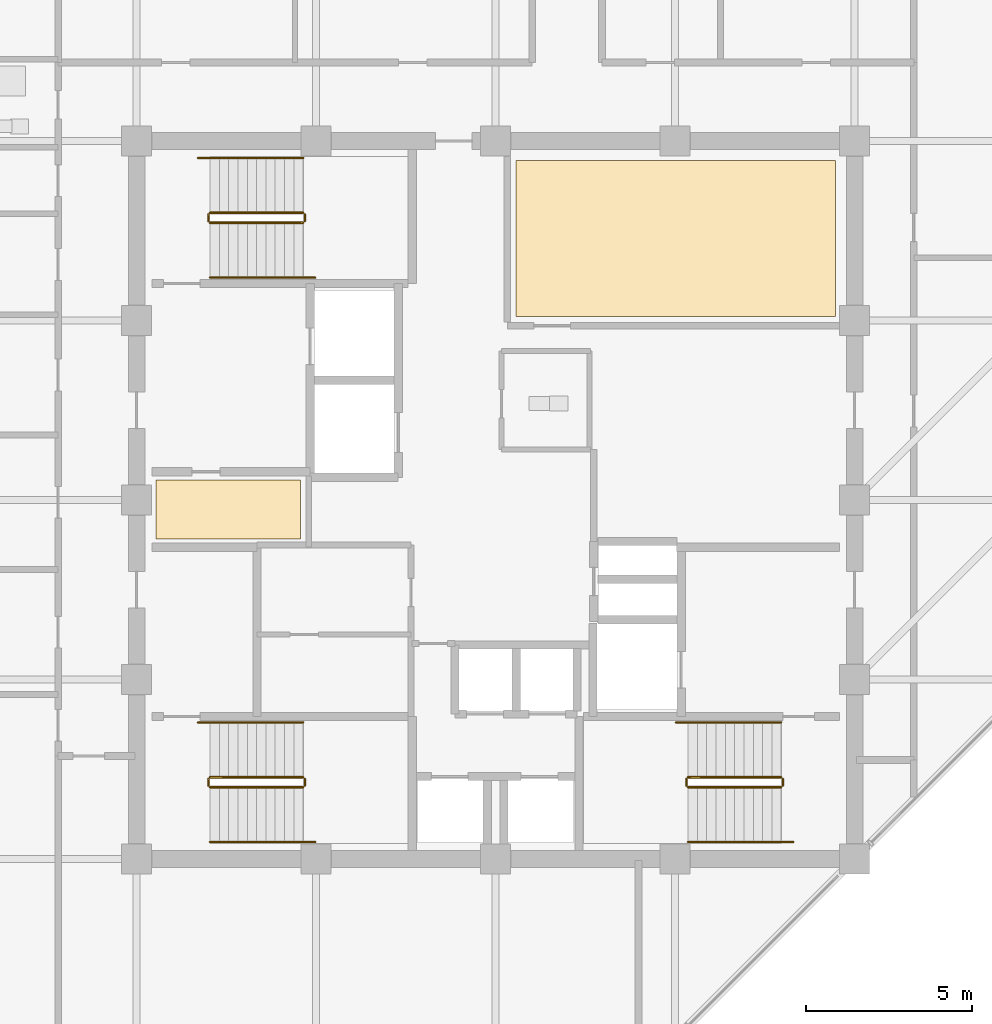
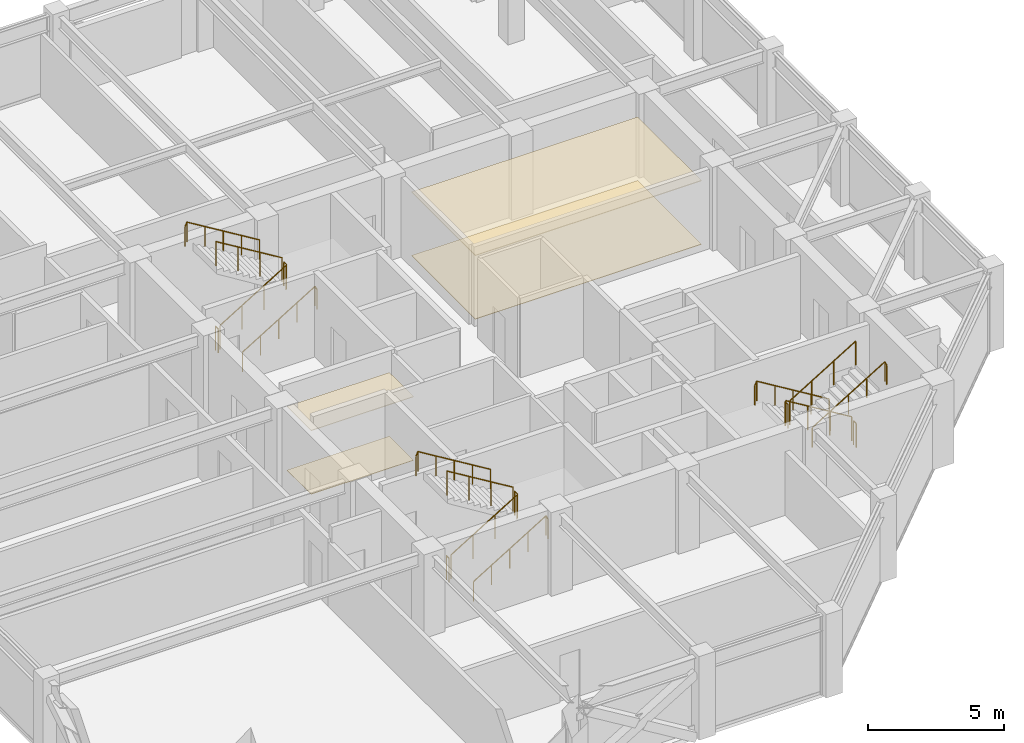
# One storey, part 29 of 30: 18 railings, 4 coverings.
"""IFC4 building model written with IfcOpenShell, lengths in metres."""

from ifc_helpers import new_model, si_unit, direction, frame, origin, origin_2d, place, context, subcontext, project, spatial, polyline, circle, outline, extrude, material, layer, layer_set, type_object, element, save


model = new_model("IFC4")

# Units and contexts
model_context = context("Model", 3, precision=1e-05, world=origin(), true_north=direction((0.0, 1.0)))
body_context = subcontext(model_context, "Body", "Model", "MODEL_VIEW")
ifc_project = project(units=[si_unit("LENGTHUNIT", "METRE"), si_unit("AREAUNIT", "SQUARE_METRE"), si_unit("VOLUMEUNIT", "CUBIC_METRE"), si_unit("PLANEANGLEUNIT", "RADIAN"), si_unit("MASSUNIT", "GRAM", prefix="KILO")], contexts=[model_context])

# Site, building, storey
site_placement = place(None, origin())
site = spatial("IfcSite", under=ifc_project, at=site_placement, CompositionType="ELEMENT")
building_placement = place(site_placement, origin())
building = spatial("IfcBuilding", under=site, at=building_placement, Name="Surkhivell Harbour Commons", CompositionType="ELEMENT")
storey_placement = place(building_placement, frame((0.0, 0.0, 292.5)))
storey = spatial("IfcBuildingStorey", under=building, at=storey_placement, Name="L76", CompositionType="ELEMENT", Elevation=292.5)

# Coverings
ifc_material_1 = material(Name="Perforated acoustic mineral-fibre ceiling tile", Category="other")
ifc_layer_1 = layer(ifc_material_1, 0.02490234375)
ifc_layer_set_1 = layer_set([ifc_layer_1], Name="Perforated acoustic mineral-fibre ceiling tile")
covering_type_1 = type_object("IfcCoveringType", Name="COV-CEIL-AC", PredefinedType="CEILING", material=ifc_layer_set_1)
covering_1_placement = place(storey_placement, frame((0.0, 0.0, 2.85205078125)))
element("IfcCovering", 1, at=covering_1_placement, inside=storey, type_object=covering_type_1, Name="L76 Suspended Acoustic Ceiling 1", PredefinedType="CEILING", context=body_context, shape_type="SweptSolid", body=[
    extrude(outline(polyline([(-10.219970703125, -1.179931640625), (-5.8701171875, -1.179931640625), (-5.8701171875, 0.60009765625), (-10.219970703125, 0.60009765625), (-10.219970703125, -1.179931640625)])), origin(), (0.0, 0.0, 1.0), 0.02490234375),
])
ifc_material_2 = material(Name="Moisture-resistant gypsum acoustic ceiling board", Category="other")
ifc_layer_2 = layer(ifc_material_2, 0.030029296875)
ifc_layer_set_2 = layer_set([ifc_layer_2], Name="Moisture-resistant gypsum acoustic ceiling board")
covering_type_2 = type_object("IfcCoveringType", Name="COV-CEIL-GYP", PredefinedType="CEILING", material=ifc_layer_set_2)
covering_2_placement = place(storey_placement, frame((0.0, 0.0, 2.846923828125)))
element("IfcCovering", 2, at=covering_2_placement, inside=storey, type_object=covering_type_2, Name="L76 Suspended Acoustic Ceiling 2", PredefinedType="CEILING", context=body_context, shape_type="SweptSolid", body=[
    extrude(outline(polyline([(0.6201171875, 5.52001953125), (10.219970703125, 5.52001953125), (10.219970703125, 10.219970703125), (0.6201171875, 10.219970703125), (0.6201171875, 5.52001953125)])), origin(), (0.0, 0.0, 1.0), 0.030029296875),
])
ifc_material_3 = material(Name="Engineered acoustic oak timber flooring", Category="wood")
ifc_layer_3 = layer(ifc_material_3, 0.02001953125)
ifc_layer_set_3 = layer_set([ifc_layer_3], Name="Engineered acoustic oak timber flooring")
covering_type_3 = type_object("IfcCoveringType", Name="COV-FLR-TIM", PredefinedType="FLOORING", material=ifc_layer_set_3)
covering_3_placement = place(storey_placement, origin())
element("IfcCovering", 3, at=covering_3_placement, inside=storey, type_object=covering_type_3, Name="L76 Interior Floor Finish 1", PredefinedType="FLOORING", context=body_context, shape_type="SweptSolid", body=[
    extrude(outline(polyline([(-10.219970703125, -1.179931640625), (-5.8701171875, -1.179931640625), (-5.8701171875, 0.60009765625), (-10.219970703125, 0.60009765625), (-10.219970703125, -1.179931640625)])), origin(), (0.0, 0.0, 1.0), 0.02001953125),
])
covering_4_placement = place(storey_placement, origin())
element("IfcCovering", 4, at=covering_4_placement, inside=storey, type_object=covering_type_3, Name="L76 Interior Floor Finish 2", PredefinedType="FLOORING", context=body_context, shape_type="SweptSolid", body=[
    extrude(outline(polyline([(0.6201171875, 5.52001953125), (10.219970703125, 5.52001953125), (10.219970703125, 10.219970703125), (0.6201171875, 10.219970703125), (0.6201171875, 5.52001953125)])), origin(), (0.0, 0.0, 1.0), 0.02001953125),
])

# Railings
ifc_material_4 = material(Name="Galvanised and painted steel S355 guard rail", Category="steel")
railing_type_1 = type_object("IfcRailingType", Name="RAL-ST-GRD1100", PredefinedType="GUARDRAIL", material=ifc_material_4)
railing_1_placement = place(storey_placement, frame((-8.590087890625, 8.340087890625, 0.17041015625)))
element("IfcRailing", 5, at=railing_1_placement, inside=storey, type_object=railing_type_1, Name="L76 ST1 stair guard 1", PredefinedType="GUARDRAIL", context=body_context, shape_type="SweptSolid", body=[
    extrude(circle(Radius=0.02392578125, at=origin_2d()), frame((0.0, 0.0, 1.076171875), z_axis=(0.854169791009, 0.0, 0.51999420009), x_axis=(0.0, 1.0, 0.0)), (0.0, 0.0, 1.0), 3.278076171875),
    extrude(circle(Radius=0.02099609375, at=origin_2d()), origin(), (0.0, 0.0, 1.0), 1.052001953125),
    extrude(circle(Radius=0.02099609375, at=origin_2d()), frame((0.933349609375, 0.0, 0.568115234375)), (0.0, 0.0, 1.0), 1.052001953125),
    extrude(circle(Radius=0.02099609375, at=origin_2d()), frame((1.86669921875, 0.0, 1.136474609375)), (0.0, 0.0, 1.0), 1.052001953125),
    extrude(circle(Radius=0.02099609375, at=origin_2d()), frame((2.800048828125, 0.0, 1.70458984375)), (0.0, 0.0, 1.0), 1.052001953125),
])
railing_2_placement = place(storey_placement, frame((-5.739990234375, 8.389892578125, 1.875)))
element("IfcRailing", 6, at=railing_2_placement, inside=storey, type_object=railing_type_1, Name="L76 ST1 stair guard 2", PredefinedType="GUARDRAIL", context=body_context, shape_type="SweptSolid", body=[
    extrude(circle(Radius=0.02392578125, at=origin_2d()), frame((0.0, 0.0, 1.076171875), z_axis=(0.0, 1.0, 0.0), x_axis=(-1.0, 0.0, 0.0)), (0.0, 0.0, 1.0), 0.2001953125),
    extrude(circle(Radius=0.02099609375, at=origin_2d()), origin(), (0.0, 0.0, 1.0), 1.052001953125),
    extrude(circle(Radius=0.02099609375, at=origin_2d()), frame((0.0, 0.2001953125, 0.0)), (0.0, 0.0, 1.0), 1.052001953125),
])
railing_3_placement = place(storey_placement, frame((-5.7900390625, 8.639892578125, 2.04541015625)))
element("IfcRailing", 7, at=railing_3_placement, inside=storey, type_object=railing_type_1, Name="L76 ST1 stair guard 3", PredefinedType="GUARDRAIL", context=body_context, shape_type="SweptSolid", body=[
    extrude(circle(Radius=0.02392578125, at=origin_2d()), frame((0.0, 0.0, 1.076171875), z_axis=(-0.854169791009, 0.0, 0.51999420009), x_axis=(0.0, -1.0, 0.0)), (0.0, 0.0, 1.0), 3.278076171875),
    extrude(circle(Radius=0.02099609375, at=origin_2d()), origin(), (0.0, 0.0, 1.0), 1.052001953125),
    extrude(circle(Radius=0.02099609375, at=origin_2d()), frame((-0.933349609375, 0.0, 0.568115234375)), (0.0, 0.0, 1.0), 1.052001953125),
    extrude(circle(Radius=0.02099609375, at=origin_2d()), frame((-1.86669921875, 0.0, 1.136474609375)), (0.0, 0.0, 1.0), 1.052001953125),
    extrude(circle(Radius=0.02099609375, at=origin_2d()), frame((-2.800048828125, 0.0, 1.70458984375)), (0.0, 0.0, 1.0), 1.052001953125),
])
railing_4_placement = place(storey_placement, frame((-8.639892578125, 8.389892578125, 0.0)))
element("IfcRailing", 8, at=railing_4_placement, inside=storey, type_object=railing_type_1, Name="L76 ST1 stair guard 4", PredefinedType="GUARDRAIL", context=body_context, shape_type="SweptSolid", body=[
    extrude(circle(Radius=0.02392578125, at=origin_2d()), frame((0.0, 0.0, 1.076171875), z_axis=(0.0, 1.0, 0.0), x_axis=(-1.0, 0.0, 0.0)), (0.0, 0.0, 1.0), 0.2001953125),
    extrude(circle(Radius=0.02099609375, at=origin_2d()), origin(), (0.0, 0.0, 1.0), 1.052001953125),
    extrude(circle(Radius=0.02099609375, at=origin_2d()), frame((0.0, 0.2001953125, 0.0)), (0.0, 0.0, 1.0), 1.052001953125),
])
railing_5_placement = place(storey_placement, frame((8.590087890625, -8.340087890625, 0.17041015625)))
element("IfcRailing", 9, at=railing_5_placement, inside=storey, type_object=railing_type_1, Name="L76 ST2 stair guard 1", PredefinedType="GUARDRAIL", context=body_context, shape_type="SweptSolid", body=[
    extrude(circle(Radius=0.02392578125, at=origin_2d()), frame((0.0, 0.0, 1.076171875), z_axis=(-0.854169791009, 0.0, 0.51999420009), x_axis=(0.0, -1.0, 0.0)), (0.0, 0.0, 1.0), 3.278076171875),
    extrude(circle(Radius=0.02099609375, at=origin_2d()), origin(), (0.0, 0.0, 1.0), 1.052001953125),
    extrude(circle(Radius=0.02099609375, at=origin_2d()), frame((-0.933349609375, 0.0, 0.568115234375)), (0.0, 0.0, 1.0), 1.052001953125),
    extrude(circle(Radius=0.02099609375, at=origin_2d()), frame((-1.86669921875, 0.0, 1.136474609375)), (0.0, 0.0, 1.0), 1.052001953125),
    extrude(circle(Radius=0.02099609375, at=origin_2d()), frame((-2.800048828125, 0.0, 1.70458984375)), (0.0, 0.0, 1.0), 1.052001953125),
])
railing_6_placement = place(storey_placement, frame((5.739990234375, -8.389892578125, 1.875)))
element("IfcRailing", 10, at=railing_6_placement, inside=storey, type_object=railing_type_1, Name="L76 ST2 stair guard 2", PredefinedType="GUARDRAIL", context=body_context, shape_type="SweptSolid", body=[
    extrude(circle(Radius=0.02392578125, at=origin_2d()), frame((0.0, 0.0, 1.076171875), z_axis=(0.0, -1.0, 0.0), x_axis=(1.0, 0.0, 0.0)), (0.0, 0.0, 1.0), 0.2001953125),
    extrude(circle(Radius=0.02099609375, at=origin_2d()), origin(), (0.0, 0.0, 1.0), 1.052001953125),
    extrude(circle(Radius=0.02099609375, at=origin_2d()), frame((0.0, -0.2001953125, 0.0)), (0.0, 0.0, 1.0), 1.052001953125),
])
railing_7_placement = place(storey_placement, frame((5.7900390625, -8.639892578125, 2.04541015625)))
element("IfcRailing", 11, at=railing_7_placement, inside=storey, type_object=railing_type_1, Name="L76 ST2 stair guard 3", PredefinedType="GUARDRAIL", context=body_context, shape_type="SweptSolid", body=[
    extrude(circle(Radius=0.02392578125, at=origin_2d()), frame((0.0, 0.0, 1.076171875), z_axis=(0.854169791009, 0.0, 0.51999420009), x_axis=(0.0, 1.0, 0.0)), (0.0, 0.0, 1.0), 3.278076171875),
    extrude(circle(Radius=0.02099609375, at=origin_2d()), origin(), (0.0, 0.0, 1.0), 1.052001953125),
    extrude(circle(Radius=0.02099609375, at=origin_2d()), frame((0.933349609375, 0.0, 0.568115234375)), (0.0, 0.0, 1.0), 1.052001953125),
    extrude(circle(Radius=0.02099609375, at=origin_2d()), frame((1.86669921875, 0.0, 1.136474609375)), (0.0, 0.0, 1.0), 1.052001953125),
    extrude(circle(Radius=0.02099609375, at=origin_2d()), frame((2.800048828125, 0.0, 1.70458984375)), (0.0, 0.0, 1.0), 1.052001953125),
])
railing_8_placement = place(storey_placement, frame((8.639892578125, -8.389892578125, 0.0)))
element("IfcRailing", 12, at=railing_8_placement, inside=storey, type_object=railing_type_1, Name="L76 ST2 stair guard 4", PredefinedType="GUARDRAIL", context=body_context, shape_type="SweptSolid", body=[
    extrude(circle(Radius=0.02392578125, at=origin_2d()), frame((0.0, 0.0, 1.076171875), z_axis=(0.0, -1.0, 0.0), x_axis=(1.0, 0.0, 0.0)), (0.0, 0.0, 1.0), 0.2001953125),
    extrude(circle(Radius=0.02099609375, at=origin_2d()), origin(), (0.0, 0.0, 1.0), 1.052001953125),
    extrude(circle(Radius=0.02099609375, at=origin_2d()), frame((0.0, -0.2001953125, 0.0)), (0.0, 0.0, 1.0), 1.052001953125),
])
railing_9_placement = place(storey_placement, frame((-8.590087890625, -8.639892578125, 0.17041015625)))
element("IfcRailing", 13, at=railing_9_placement, inside=storey, type_object=railing_type_1, Name="L76 ST3 stair guard 1", PredefinedType="GUARDRAIL", context=body_context, shape_type="SweptSolid", body=[
    extrude(circle(Radius=0.02392578125, at=origin_2d()), frame((0.0, 0.0, 1.076171875), z_axis=(0.854169791009, 0.0, 0.51999420009), x_axis=(0.0, 1.0, 0.0)), (0.0, 0.0, 1.0), 3.278076171875),
    extrude(circle(Radius=0.02099609375, at=origin_2d()), origin(), (0.0, 0.0, 1.0), 1.052001953125),
    extrude(circle(Radius=0.02099609375, at=origin_2d()), frame((0.933349609375, 0.0, 0.568115234375)), (0.0, 0.0, 1.0), 1.052001953125),
    extrude(circle(Radius=0.02099609375, at=origin_2d()), frame((1.86669921875, 0.0, 1.136474609375)), (0.0, 0.0, 1.0), 1.052001953125),
    extrude(circle(Radius=0.02099609375, at=origin_2d()), frame((2.800048828125, 0.0, 1.70458984375)), (0.0, 0.0, 1.0), 1.052001953125),
])
railing_10_placement = place(storey_placement, frame((-5.739990234375, -8.590087890625, 1.875)))
element("IfcRailing", 14, at=railing_10_placement, inside=storey, type_object=railing_type_1, Name="L76 ST3 stair guard 2", PredefinedType="GUARDRAIL", context=body_context, shape_type="SweptSolid", body=[
    extrude(circle(Radius=0.02392578125, at=origin_2d()), frame((0.0, 0.0, 1.076171875), z_axis=(0.0, 1.0, 0.0), x_axis=(-1.0, 0.0, 0.0)), (0.0, 0.0, 1.0), 0.2001953125),
    extrude(circle(Radius=0.02099609375, at=origin_2d()), origin(), (0.0, 0.0, 1.0), 1.052001953125),
    extrude(circle(Radius=0.02099609375, at=origin_2d()), frame((0.0, 0.2001953125, 0.0)), (0.0, 0.0, 1.0), 1.052001953125),
])
railing_11_placement = place(storey_placement, frame((-5.7900390625, -8.340087890625, 2.04541015625)))
element("IfcRailing", 15, at=railing_11_placement, inside=storey, type_object=railing_type_1, Name="L76 ST3 stair guard 3", PredefinedType="GUARDRAIL", context=body_context, shape_type="SweptSolid", body=[
    extrude(circle(Radius=0.02392578125, at=origin_2d()), frame((0.0, 0.0, 1.076171875), z_axis=(-0.854169791009, 0.0, 0.51999420009), x_axis=(0.0, -1.0, 0.0)), (0.0, 0.0, 1.0), 3.278076171875),
    extrude(circle(Radius=0.02099609375, at=origin_2d()), origin(), (0.0, 0.0, 1.0), 1.052001953125),
    extrude(circle(Radius=0.02099609375, at=origin_2d()), frame((-0.933349609375, 0.0, 0.568115234375)), (0.0, 0.0, 1.0), 1.052001953125),
    extrude(circle(Radius=0.02099609375, at=origin_2d()), frame((-1.86669921875, 0.0, 1.136474609375)), (0.0, 0.0, 1.0), 1.052001953125),
    extrude(circle(Radius=0.02099609375, at=origin_2d()), frame((-2.800048828125, 0.0, 1.70458984375)), (0.0, 0.0, 1.0), 1.052001953125),
])
railing_12_placement = place(storey_placement, frame((-8.639892578125, -8.590087890625, 0.0)))
element("IfcRailing", 16, at=railing_12_placement, inside=storey, type_object=railing_type_1, Name="L76 ST3 stair guard 4", PredefinedType="GUARDRAIL", context=body_context, shape_type="SweptSolid", body=[
    extrude(circle(Radius=0.02392578125, at=origin_2d()), frame((0.0, 0.0, 1.076171875), z_axis=(0.0, 1.0, 0.0), x_axis=(-1.0, 0.0, 0.0)), (0.0, 0.0, 1.0), 0.2001953125),
    extrude(circle(Radius=0.02099609375, at=origin_2d()), origin(), (0.0, 0.0, 1.0), 1.052001953125),
    extrude(circle(Radius=0.02099609375, at=origin_2d()), frame((0.0, 0.2001953125, 0.0)), (0.0, 0.0, 1.0), 1.052001953125),
])
ifc_material_5 = material(Name="Brushed stainless steel S355 handrail", Category="steel")
railing_type_2 = type_object("IfcRailingType", Name="RAL-ST-HND900", PredefinedType="HANDRAIL", material=ifc_material_5)
railing_13_placement = place(storey_placement, frame((-8.590087890625, 6.68994140625, 0.17041015625)))
element("IfcRailing", 17, at=railing_13_placement, inside=storey, type_object=railing_type_2, Name="L76 ST1 stair handrail 1", PredefinedType="HANDRAIL", context=body_context, shape_type="SweptSolid", body=[
    extrude(circle(Radius=0.02392578125, at=origin_2d()), frame((0.0, 0.0, 0.8759765625), z_axis=(0.854177636135, 0.0, 0.519981313056), x_axis=(0.0, 1.0, 0.0)), (0.0, 0.0, 1.0), 3.60595703125),
    extrude(circle(Radius=0.02392578125, at=origin_2d()), frame((3.080078125, 0.0, 2.7509765625), z_axis=(0.425297416671, 0.0, -0.905053648892), x_axis=(0.0, 1.0, 0.0)), (0.0, 0.0, 1.0), 0.188232421875),
    extrude(circle(Radius=0.02099609375, at=origin_2d()), origin(), (0.0, 0.0, 1.0), 0.851806640625),
    extrude(circle(Radius=0.02099609375, at=origin_2d()), frame((0.77001953125, 0.0, 0.46875)), (0.0, 0.0, 1.0), 0.851806640625),
    extrude(circle(Radius=0.02099609375, at=origin_2d()), frame((1.5400390625, 0.0, 0.9375)), (0.0, 0.0, 1.0), 0.851806640625),
    extrude(circle(Radius=0.02099609375, at=origin_2d()), frame((2.31005859375, 0.0, 1.40625)), (0.0, 0.0, 1.0), 0.851806640625),
    extrude(circle(Radius=0.02099609375, at=origin_2d()), frame((3.080078125, 0.0, 1.875)), (0.0, 0.0, 1.0), 0.851806640625),
    extrude(circle(Radius=0.02099609375, at=origin_2d()), frame((3.16015625, 0.0, 1.70458984375)), (0.0, 0.0, 1.0), 0.851806640625),
])
railing_14_placement = place(storey_placement, frame((-5.7900390625, 10.2900390625, 2.04541015625)))
element("IfcRailing", 18, at=railing_14_placement, inside=storey, type_object=railing_type_2, Name="L76 ST1 stair handrail 2", PredefinedType="HANDRAIL", context=body_context, shape_type="SweptSolid", body=[
    extrude(circle(Radius=0.02392578125, at=origin_2d()), frame((0.0, 0.0, 0.8759765625), z_axis=(-0.854177636135, 0.0, 0.519981313056), x_axis=(0.0, -1.0, 0.0)), (0.0, 0.0, 1.0), 3.60595703125),
    extrude(circle(Radius=0.02392578125, at=origin_2d()), frame((-3.080078125, 0.0, 2.7509765625), z_axis=(-0.424234432967, 0.0, -0.905552398199), x_axis=(0.0, -1.0, 0.0)), (0.0, 0.0, 1.0), 0.188232421875),
    extrude(circle(Radius=0.02099609375, at=origin_2d()), origin(), (0.0, 0.0, 1.0), 0.851806640625),
    extrude(circle(Radius=0.02099609375, at=origin_2d()), frame((-0.77001953125, 0.0, 0.46875)), (0.0, 0.0, 1.0), 0.851806640625),
    extrude(circle(Radius=0.02099609375, at=origin_2d()), frame((-1.5400390625, 0.0, 0.9375)), (0.0, 0.0, 1.0), 0.851806640625),
    extrude(circle(Radius=0.02099609375, at=origin_2d()), frame((-2.31005859375, 0.0, 1.40625)), (0.0, 0.0, 1.0), 0.851806640625),
    extrude(circle(Radius=0.02099609375, at=origin_2d()), frame((-3.080078125, 0.0, 1.875)), (0.0, 0.0, 1.0), 0.851806640625),
    extrude(circle(Radius=0.02099609375, at=origin_2d()), frame((-3.159912109375, 0.0, 1.70458984375)), (0.0, 0.0, 1.0), 0.851806640625),
])
railing_15_placement = place(storey_placement, frame((8.590087890625, -6.68994140625, 0.17041015625)))
element("IfcRailing", 19, at=railing_15_placement, inside=storey, type_object=railing_type_2, Name="L76 ST2 stair handrail 1", PredefinedType="HANDRAIL", context=body_context, shape_type="SweptSolid", body=[
    extrude(circle(Radius=0.02392578125, at=origin_2d()), frame((0.0, 0.0, 0.8759765625), z_axis=(-0.854177636135, 0.0, 0.519981313056), x_axis=(0.0, -1.0, 0.0)), (0.0, 0.0, 1.0), 3.60595703125),
    extrude(circle(Radius=0.02392578125, at=origin_2d()), frame((-3.080078125, 0.0, 2.7509765625), z_axis=(-0.425297416671, 0.0, -0.905053648892), x_axis=(0.0, -1.0, 0.0)), (0.0, 0.0, 1.0), 0.188232421875),
    extrude(circle(Radius=0.02099609375, at=origin_2d()), origin(), (0.0, 0.0, 1.0), 0.851806640625),
    extrude(circle(Radius=0.02099609375, at=origin_2d()), frame((-0.77001953125, 0.0, 0.46875)), (0.0, 0.0, 1.0), 0.851806640625),
    extrude(circle(Radius=0.02099609375, at=origin_2d()), frame((-1.5400390625, 0.0, 0.9375)), (0.0, 0.0, 1.0), 0.851806640625),
    extrude(circle(Radius=0.02099609375, at=origin_2d()), frame((-2.31005859375, 0.0, 1.40625)), (0.0, 0.0, 1.0), 0.851806640625),
    extrude(circle(Radius=0.02099609375, at=origin_2d()), frame((-3.080078125, 0.0, 1.875)), (0.0, 0.0, 1.0), 0.851806640625),
    extrude(circle(Radius=0.02099609375, at=origin_2d()), frame((-3.16015625, 0.0, 1.70458984375)), (0.0, 0.0, 1.0), 0.851806640625),
])
railing_16_placement = place(storey_placement, frame((5.7900390625, -10.2900390625, 2.04541015625)))
element("IfcRailing", 20, at=railing_16_placement, inside=storey, type_object=railing_type_2, Name="L76 ST2 stair handrail 2", PredefinedType="HANDRAIL", context=body_context, shape_type="SweptSolid", body=[
    extrude(circle(Radius=0.02392578125, at=origin_2d()), frame((0.0, 0.0, 0.8759765625), z_axis=(0.854177636135, 0.0, 0.519981313056), x_axis=(0.0, 1.0, 0.0)), (0.0, 0.0, 1.0), 3.60595703125),
    extrude(circle(Radius=0.02392578125, at=origin_2d()), frame((3.080078125, 0.0, 2.7509765625), z_axis=(0.424234432967, 0.0, -0.905552398199), x_axis=(0.0, 1.0, 0.0)), (0.0, 0.0, 1.0), 0.188232421875),
    extrude(circle(Radius=0.02099609375, at=origin_2d()), origin(), (0.0, 0.0, 1.0), 0.851806640625),
    extrude(circle(Radius=0.02099609375, at=origin_2d()), frame((0.77001953125, 0.0, 0.46875)), (0.0, 0.0, 1.0), 0.851806640625),
    extrude(circle(Radius=0.02099609375, at=origin_2d()), frame((1.5400390625, 0.0, 0.9375)), (0.0, 0.0, 1.0), 0.851806640625),
    extrude(circle(Radius=0.02099609375, at=origin_2d()), frame((2.31005859375, 0.0, 1.40625)), (0.0, 0.0, 1.0), 0.851806640625),
    extrude(circle(Radius=0.02099609375, at=origin_2d()), frame((3.080078125, 0.0, 1.875)), (0.0, 0.0, 1.0), 0.851806640625),
    extrude(circle(Radius=0.02099609375, at=origin_2d()), frame((3.159912109375, 0.0, 1.70458984375)), (0.0, 0.0, 1.0), 0.851806640625),
])
railing_17_placement = place(storey_placement, frame((-8.590087890625, -10.2900390625, 0.17041015625)))
element("IfcRailing", 21, at=railing_17_placement, inside=storey, type_object=railing_type_2, Name="L76 ST3 stair handrail 1", PredefinedType="HANDRAIL", context=body_context, shape_type="SweptSolid", body=[
    extrude(circle(Radius=0.02392578125, at=origin_2d()), frame((0.0, 0.0, 0.8759765625), z_axis=(0.854177636135, 0.0, 0.519981313056), x_axis=(0.0, 1.0, 0.0)), (0.0, 0.0, 1.0), 3.60595703125),
    extrude(circle(Radius=0.02392578125, at=origin_2d()), frame((3.080078125, 0.0, 2.7509765625), z_axis=(0.425297416671, 0.0, -0.905053648892), x_axis=(0.0, 1.0, 0.0)), (0.0, 0.0, 1.0), 0.188232421875),
    extrude(circle(Radius=0.02099609375, at=origin_2d()), origin(), (0.0, 0.0, 1.0), 0.851806640625),
    extrude(circle(Radius=0.02099609375, at=origin_2d()), frame((0.77001953125, 0.0, 0.46875)), (0.0, 0.0, 1.0), 0.851806640625),
    extrude(circle(Radius=0.02099609375, at=origin_2d()), frame((1.5400390625, 0.0, 0.9375)), (0.0, 0.0, 1.0), 0.851806640625),
    extrude(circle(Radius=0.02099609375, at=origin_2d()), frame((2.31005859375, 0.0, 1.40625)), (0.0, 0.0, 1.0), 0.851806640625),
    extrude(circle(Radius=0.02099609375, at=origin_2d()), frame((3.080078125, 0.0, 1.875)), (0.0, 0.0, 1.0), 0.851806640625),
    extrude(circle(Radius=0.02099609375, at=origin_2d()), frame((3.16015625, 0.0, 1.70458984375)), (0.0, 0.0, 1.0), 0.851806640625),
])
railing_18_placement = place(storey_placement, frame((-5.7900390625, -6.68994140625, 2.04541015625)))
element("IfcRailing", 22, at=railing_18_placement, inside=storey, type_object=railing_type_2, Name="L76 ST3 stair handrail 2", PredefinedType="HANDRAIL", context=body_context, shape_type="SweptSolid", body=[
    extrude(circle(Radius=0.02392578125, at=origin_2d()), frame((0.0, 0.0, 0.8759765625), z_axis=(-0.854177636135, 0.0, 0.519981313056), x_axis=(0.0, -1.0, 0.0)), (0.0, 0.0, 1.0), 3.60595703125),
    extrude(circle(Radius=0.02392578125, at=origin_2d()), frame((-3.080078125, 0.0, 2.7509765625), z_axis=(-0.424234432967, 0.0, -0.905552398199), x_axis=(0.0, -1.0, 0.0)), (0.0, 0.0, 1.0), 0.188232421875),
    extrude(circle(Radius=0.02099609375, at=origin_2d()), origin(), (0.0, 0.0, 1.0), 0.851806640625),
    extrude(circle(Radius=0.02099609375, at=origin_2d()), frame((-0.77001953125, 0.0, 0.46875)), (0.0, 0.0, 1.0), 0.851806640625),
    extrude(circle(Radius=0.02099609375, at=origin_2d()), frame((-1.5400390625, 0.0, 0.9375)), (0.0, 0.0, 1.0), 0.851806640625),
    extrude(circle(Radius=0.02099609375, at=origin_2d()), frame((-2.31005859375, 0.0, 1.40625)), (0.0, 0.0, 1.0), 0.851806640625),
    extrude(circle(Radius=0.02099609375, at=origin_2d()), frame((-3.080078125, 0.0, 1.875)), (0.0, 0.0, 1.0), 0.851806640625),
    extrude(circle(Radius=0.02099609375, at=origin_2d()), frame((-3.159912109375, 0.0, 1.70458984375)), (0.0, 0.0, 1.0), 0.851806640625),
])

save(model, "model.ifc")
